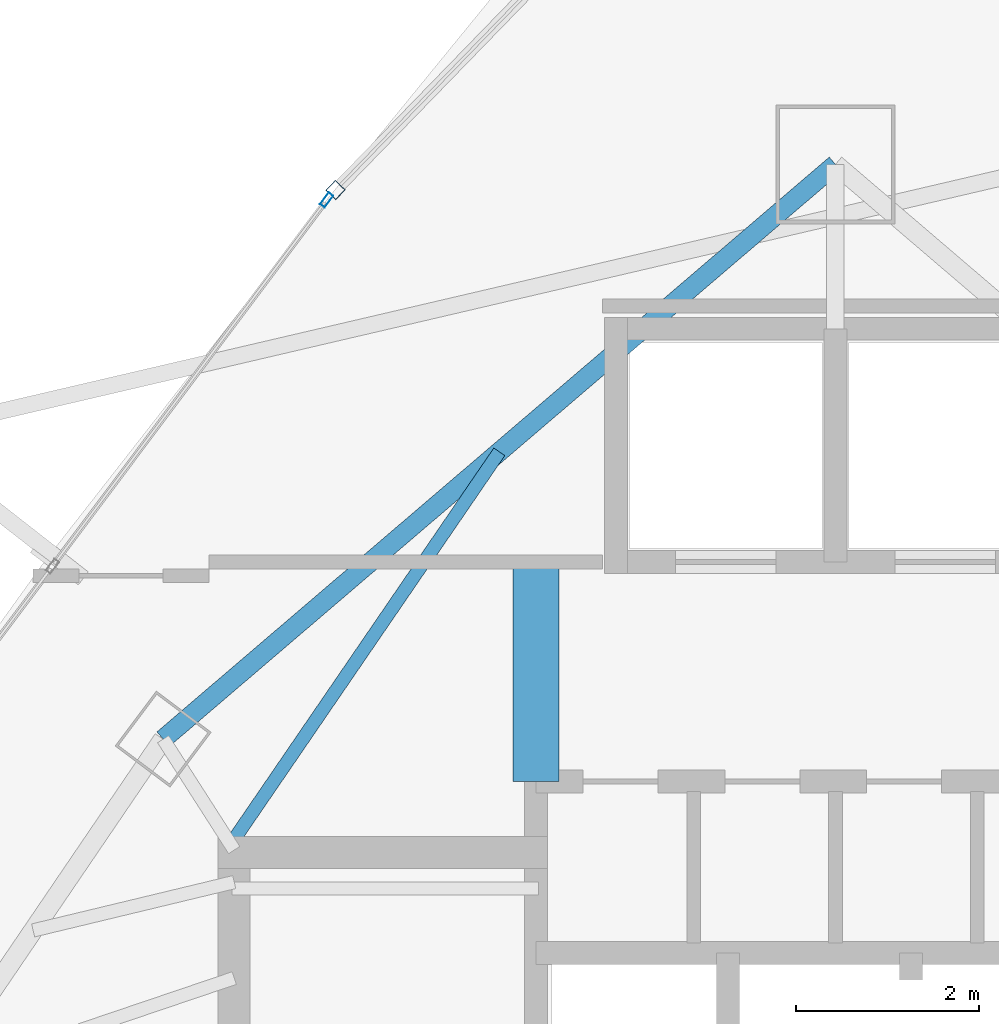
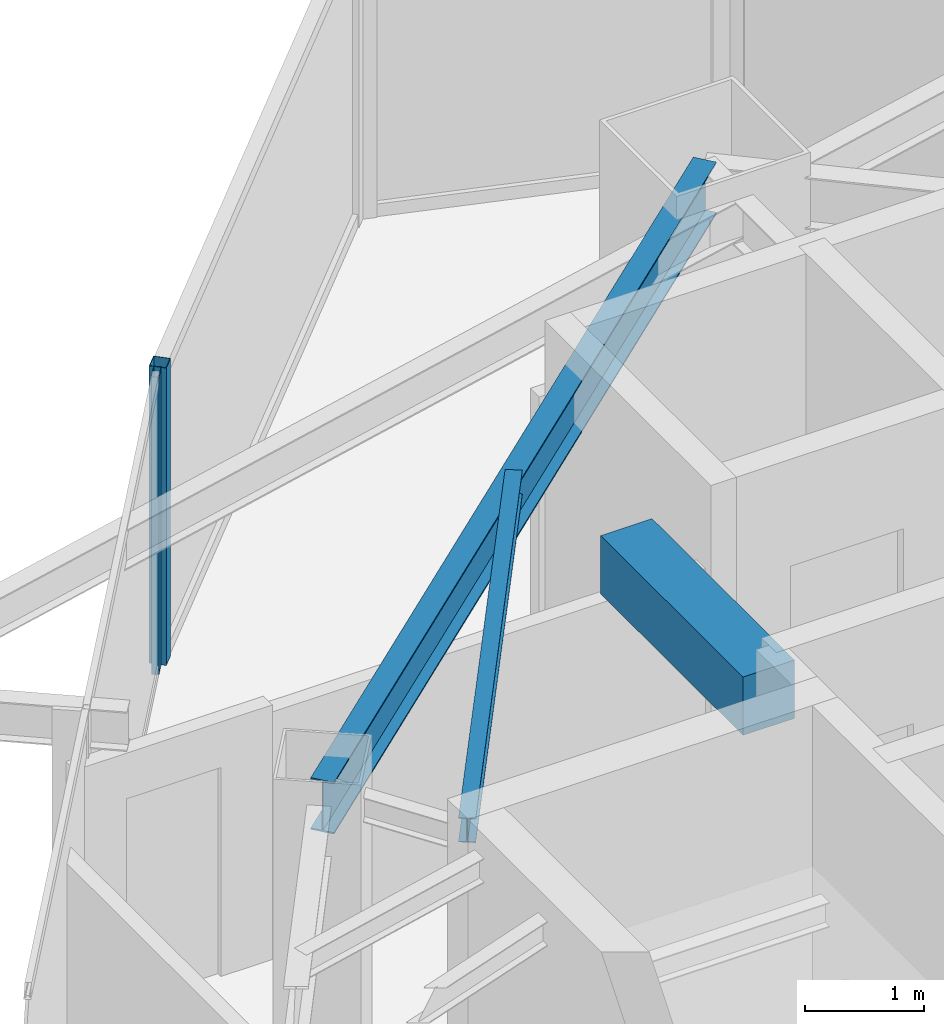
# One storey, part 22 of 32: 3 beams, 2 members, 2 elements without a shape of their own.
"""IFC4 building model written with IfcOpenShell, lengths in metres."""

from ifc_helpers import new_model, si_unit, direction, frame, origin, origin_2d, place, context, subcontext, project, spatial, rectangle, hollow_rectangle, i_section, extrude, material, layer, layer_set, material_profile, profile_set, type_object, element, aggregate, save


model = new_model("IFC4")

# Units and contexts
model_context = context("Model", 3, precision=1e-05, world=origin(), true_north=direction((0.0, 1.0)))
body_context = subcontext(model_context, "Body", "Model", "MODEL_VIEW")
ifc_project = project(units=[si_unit("LENGTHUNIT", "METRE"), si_unit("AREAUNIT", "SQUARE_METRE"), si_unit("VOLUMEUNIT", "CUBIC_METRE"), si_unit("PLANEANGLEUNIT", "RADIAN"), si_unit("MASSUNIT", "GRAM", prefix="KILO")], contexts=[model_context])

# Site, building, storey
site_placement = place(None, origin())
site = spatial("IfcSite", under=ifc_project, at=site_placement, CompositionType="ELEMENT")
building_placement = place(site_placement, origin())
building = spatial("IfcBuilding", under=site, at=building_placement, Name="Orvanel Arch Residences", CompositionType="ELEMENT")
storey_placement = place(building_placement, frame((0.0, 0.0, 216.199951171875)))
storey = spatial("IfcBuildingStorey", under=building, at=storey_placement, Name="L61", CompositionType="ELEMENT", Elevation=216.199951171875)

# Beams
ifc_material_1 = material(Name="Structural steel AS/NZS 3679.1 Grade 300 (300 MPa)", Category="steel")
ifc_material_profile_1 = material_profile(ifc_material_1, i_section(OverallWidth=0.14599609375, OverallDepth=0.251953125, WebThickness=0.006103515625, FlangeThickness=0.008544921875, at=origin_2d()), Name="250UB31.4")
ifc_profile_set_1 = profile_set([ifc_material_profile_1], Name="Structural steel AS/NZS 3679.1 Grade 300 (300 MPa)")
beam_type_1 = type_object("IfcBeamType", Name="BJ-250UB", PredefinedType="JOIST", material=ifc_profile_set_1)
beam_1_placement = place(storey_placement, frame((26.425048828125, 34.02001953125, 2.93408203125), z_axis=(0.564868085352, 0.825181220188, 0.0), x_axis=(-0.825181220188, 0.564868085352, 0.0)))
element("IfcBeam", 1, at=beam_1_placement, inside=storey, type_object=beam_type_1, Name="L61 NNW2 Wing Floor Joist", PredefinedType="JOIST", context=body_context, shape_type="SweptSolid", body=[
    extrude(i_section(OverallWidth=0.14599609375, OverallDepth=0.251953125, WebThickness=0.006103515625, FlangeThickness=0.008544921875, at=origin_2d()), origin(), (0.0, 0.0, 1.0), 5.132080078125),
])
ifc_material_2 = material(Name="Concrete S65 (65 MPa)", Category="concrete")
ifc_material_profile_2 = material_profile(ifc_material_2, rectangle(XDim=0.5, YDim=0.60009765625, at=origin_2d()), Name="RC500x600")
ifc_profile_set_2 = profile_set([ifc_material_profile_2], Name="Concrete S65 (65 MPa)")
beam_type_2 = type_object("IfcBeamType", Name="CB-500x600", PredefinedType="LINTEL", material=ifc_profile_set_2)
beam_2_placement = place(storey_placement, frame((29.72509765625, 34.64990234375, 2.760009765625), z_axis=(0.0, 1.0, 0.0), x_axis=(-1.0, 0.0, 0.0)))
element("IfcBeam", 2, at=beam_2_placement, inside=storey, type_object=beam_type_2, Name="L61 West Core Lobby Coupling Lintel Beam", PredefinedType="LINTEL", context=body_context, shape_type="SweptSolid", body=[
    extrude(rectangle(XDim=0.5, YDim=0.60009765625, at=origin_2d()), origin(), (0.0, 0.0, 1.0), 2.400146484375),
])

# Curtain wall, member
ifc_material_3 = material(Name="Bronze-anodised aluminium AA6063-T6", Category="aluminium")
ifc_layer_1 = layer(ifc_material_3, 0.18994140625)
ifc_layer_set_1 = layer_set([ifc_layer_1], Name="Bronze-anodised aluminium AA6063-T6")
curtain_wall_type_1 = type_object("IfcCurtainWallType", Name="CW5-CRN-SYS", PredefinedType="NOTDEFINED", material=ifc_layer_set_1)
curtain_wall_1_placement = place(storey_placement, origin())
curtain_wall_1 = element("IfcCurtainWall", 3, at=curtain_wall_1_placement, inside=storey, type_object=curtain_wall_type_1, Name="L61 CW5-CRN-SYS Unitised Curtain Wall", PredefinedType="NOTDEFINED")
ifc_material_profile_3 = material_profile(ifc_material_3, hollow_rectangle(XDim=0.14990234375, YDim=0.14990234375, WallThickness=0.0048828125, at=origin_2d()), Name="ALU150x150x5")
ifc_profile_set_3 = profile_set([ifc_material_profile_3], Name="Bronze-anodised aluminium AA6063-T6")
member_type_1 = type_object("IfcMemberType", Name="MUL-150x150", PredefinedType="MULLION", material=ifc_profile_set_3)
member_1_placement = place(storey_placement, frame((27.533203125, 41.11767578125, 0.0), z_axis=(0.0, 0.0, 1.0), x_axis=(0.717266764401, -0.696798671558, 0.0)))
member_1 = element("IfcMember", 4, at=member_1_placement, type_object=member_type_1, Name="CW-S5 mullion 2", PredefinedType="MULLION", context=body_context, shape_type="SweptSolid", body=[
    extrude(hollow_rectangle(XDim=0.14990234375, YDim=0.14990234375, WallThickness=0.0048828125, at=origin_2d()), origin(), (0.0, 0.0, 1.0), 3.06005859375),
])
aggregate(curtain_wall_1, [member_1])

ifc_layer_2 = layer(ifc_material_3, 0.175048828125)
ifc_layer_set_2 = layer_set([ifc_layer_2], Name="Bronze-anodised aluminium AA6063-T6")
curtain_wall_type_2 = type_object("IfcCurtainWallType", Name="CW4-HI-SYS", PredefinedType="NOTDEFINED", material=ifc_layer_set_2)
curtain_wall_2_placement = place(storey_placement, origin())
curtain_wall_2 = element("IfcCurtainWall", 5, at=curtain_wall_2_placement, inside=storey, type_object=curtain_wall_type_2, Name="L61 CW4-HI-SYS Unitised Curtain Wall", PredefinedType="NOTDEFINED")
ifc_material_profile_4 = material_profile(ifc_material_3, hollow_rectangle(XDim=0.06494140625, YDim=0.159912109375, WallThickness=0.00390625, at=origin_2d()), Name="ALU160x65x4")
ifc_profile_set_4 = profile_set([ifc_material_profile_4], Name="Bronze-anodised aluminium AA6063-T6")
member_type_2 = type_object("IfcMemberType", Name="MUL-160x65", PredefinedType="MULLION", material=ifc_profile_set_4)
member_2_placement = place(storey_placement, frame((27.435546875, 41.008056640625, 0.0), z_axis=(0.0, 0.0, 1.0), x_axis=(0.800476458044, -0.599364196559, 0.0)))
member_2 = element("IfcMember", 6, at=member_2_placement, type_object=member_type_2, Name="CW-S4 mullion 1", PredefinedType="MULLION", context=body_context, shape_type="SweptSolid", body=[
    extrude(hollow_rectangle(XDim=0.06494140625, YDim=0.159912109375, WallThickness=0.00390625, at=origin_2d()), origin(), (0.0, 0.0, 1.0), 3.06005859375),
])
aggregate(curtain_wall_2, [member_2])

# Beam
ifc_material_profile_5 = material_profile(ifc_material_1, i_section(OverallWidth=0.208984375, OverallDepth=0.532958984375, WebThickness=0.01025390625, FlangeThickness=0.015625, at=origin_2d()), Name="530UB92.4")
ifc_profile_set_5 = profile_set([ifc_material_profile_5], Name="Structural steel AS/NZS 3679.1 Grade 300 (300 MPa)")
beam_type_3 = type_object("IfcBeamType", Name="SP-530UB", PredefinedType="SPANDREL", material=ifc_profile_set_5)
beam_3_placement = place(storey_placement, frame((33.0, 41.39794921875, 2.79296875), z_axis=(-0.760116518398, -0.649786794617, 0.0), x_axis=(0.649786794617, -0.760116518398, 0.0)))
element("IfcBeam", 7, at=beam_3_placement, inside=storey, type_object=beam_type_3, Name="L61 Perimeter Spandrel Beam 10", PredefinedType="SPANDREL", context=body_context, shape_type="SweptSolid", body=[
    extrude(i_section(OverallWidth=0.208984375, OverallDepth=0.532958984375, WebThickness=0.01025390625, FlangeThickness=0.015625, at=origin_2d()), origin(), (0.0, 0.0, 1.0), 9.67236328125),
])

save(model, "model.ifc")
